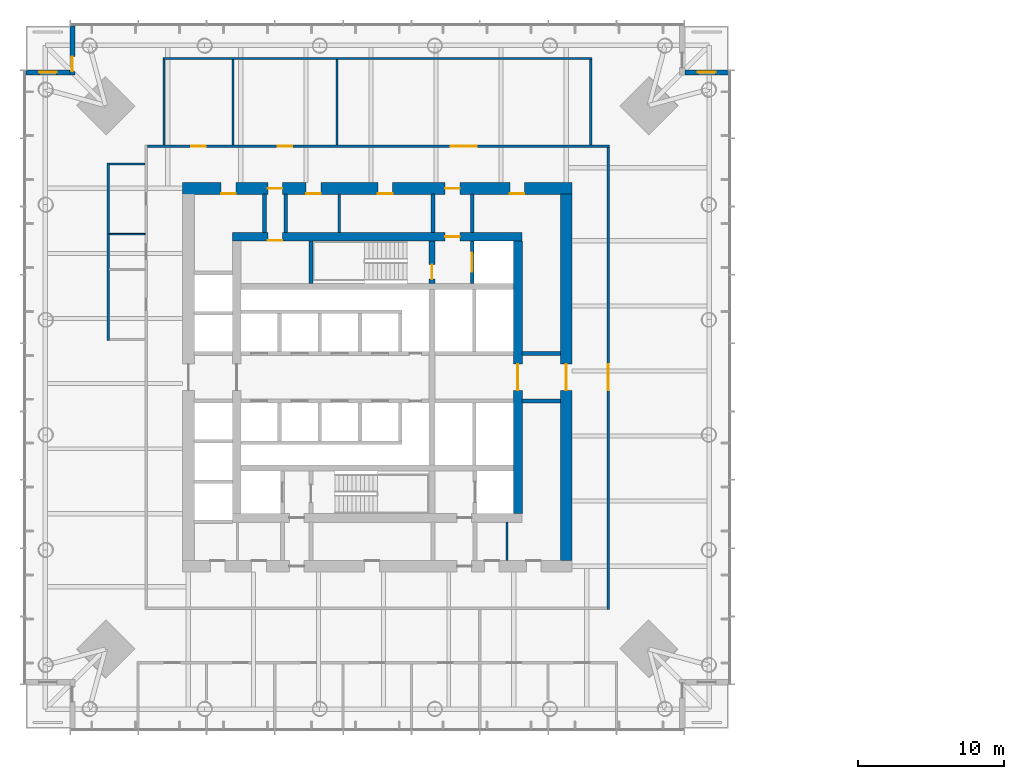
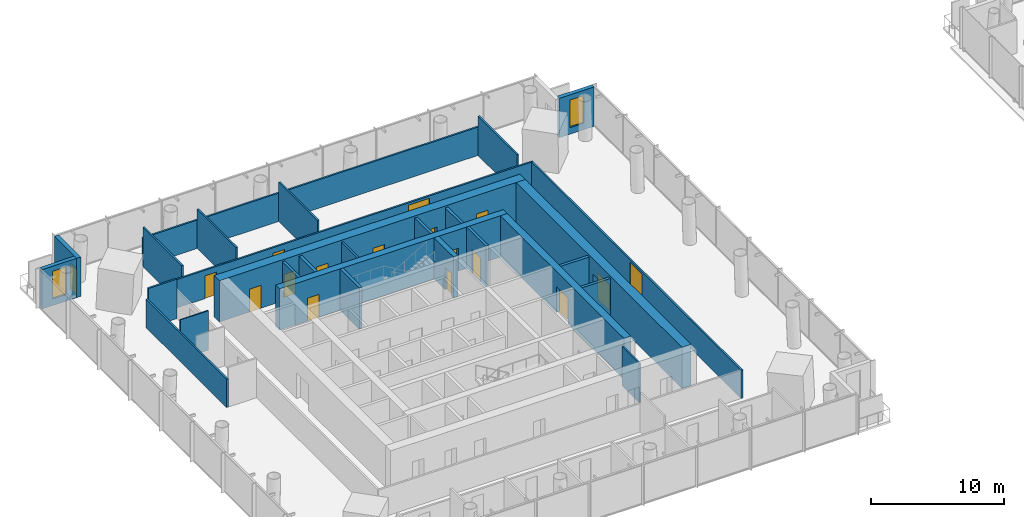
# One storey, part 11 of 22: 28 walls, 17 doors, 2 windows, 19 openings.
"""IFC4 building model written with IfcOpenShell, lengths in metres."""

import ifcopenshell
import ifcopenshell.guid

model = None  # the IFC model being written
_history = None  # IfcOwnerHistory: only IFC2X3 demands one
_inside = {}  # id of a spatial element -> (the spatial element, [elements in it])
_under = {}  # id of a project, library or spatial element -> (it, [spatial elements below it])
_declared = {}  # id of a project -> (the project, [libraries it declares])
_typed = {}  # id of a type object -> (the type object, [elements of that type])
_made_of = {}  # id of a material, layer set ... -> (it, [elements and type objects made of it])


def new_model(schema):
    """Start an empty IFC model of exactly this schema.

    Asked for "IFC4X3", IfcOpenShell would pick the latest addendum, in which some entities
    have other attributes; the version numbers below select the first issue.
    IFC2X3 requires an IfcOwnerHistory on every rooted entity: one is made here for all.
    """
    global model, _history
    if schema == "IFC4X3":
        model = ifcopenshell.file(schema_version=(4, 3, 0, 0))
    else:
        model = ifcopenshell.file(schema=schema)
    _inside.clear()
    _under.clear()
    _declared.clear()
    _typed.clear()
    _made_of.clear()
    _history = None
    if model.schema == "IFC2X3":
        org = make("IfcOrganization", Name="unknown")
        user = make(
            "IfcPersonAndOrganization",
            ThePerson=make("IfcPerson", FamilyName="unknown"),
            TheOrganization=org,
        )
        app = make(
            "IfcApplication",
            ApplicationDeveloper=org,
            Version="unknown",
            ApplicationFullName="unknown",
            ApplicationIdentifier="unknown",
        )
        _history = make(
            "IfcOwnerHistory",
            OwningUser=user,
            OwningApplication=app,
            ChangeAction="ADDED",
            CreationDate=0,
        )
    return model


def make(cls, **values):
    """One entity of the class cls with the attributes given. An attribute that is None is left unset."""
    return model.create_entity(
        cls, **{name: value for name, value in values.items() if value is not None}
    )


def rooted(cls, **values):
    """An entity with a GlobalId (a new one), such as an element, a storey or a relation."""
    return make(cls, GlobalId=ifcopenshell.guid.new(), OwnerHistory=_history, **values)


def si_unit(unit_type, name, prefix=None):
    """IfcSIUnit, for example si_unit("LENGTHUNIT", "METRE", prefix="MILLI")."""
    return make("IfcSIUnit", UnitType=unit_type, Prefix=prefix, Name=name)


def assignment(units):
    """IfcUnitAssignment: the units of a project."""
    return None if units is None else make("IfcUnitAssignment", Units=units)


def point(xyz):
    """IfcCartesianPoint."""
    return None if xyz is None else make("IfcCartesianPoint", Coordinates=xyz)


def direction(xyz):
    """IfcDirection."""
    return None if xyz is None else make("IfcDirection", DirectionRatios=xyz)


def frame(location, z_axis=None, x_axis=None):
    """IfcAxis2Placement3D, a coordinate frame: its origin and axes. An axis left out is left unset."""
    return make(
        "IfcAxis2Placement3D",
        Location=point(location),
        Axis=direction(z_axis),
        RefDirection=direction(x_axis),
    )


def frame_2d(location, x_axis=None):
    """IfcAxis2Placement2D, a coordinate frame in the plane: its origin and x axis."""
    return make(
        "IfcAxis2Placement2D", Location=point(location), RefDirection=direction(x_axis)
    )


def origin():
    """The frame at (0, 0, 0) with its axes left unset."""
    return frame((0.0, 0.0, 0.0))


def place(relative_to, where):
    """IfcLocalPlacement: puts the frame where relative to a parent placement (None: the world)."""
    return make(
        "IfcLocalPlacement", PlacementRelTo=relative_to, RelativePlacement=where
    )


def context(
    kind, dimensions, precision=None, world=None, true_north=None, identifier=None
):
    """IfcGeometricRepresentationContext, for example the 3D "Model" context."""
    return make(
        "IfcGeometricRepresentationContext",
        ContextIdentifier=identifier,
        ContextType=kind,
        CoordinateSpaceDimension=dimensions,
        Precision=precision,
        WorldCoordinateSystem=world,
        TrueNorth=true_north,
    )


def subcontext(parent, identifier, kind, view, scale=None):
    """IfcGeometricRepresentationSubContext, for example "Body" below "Model"."""
    return make(
        "IfcGeometricRepresentationSubContext",
        ContextIdentifier=identifier,
        ContextType=kind,
        ParentContext=parent,
        TargetScale=scale,
        TargetView=view,
    )


def project(units=None, contexts=None):
    """IfcProject with its units and contexts."""
    return rooted(
        "IfcProject",
        Name="project",
        RepresentationContexts=contexts,
        UnitsInContext=assignment(units),
    )


def spatial(cls, under=None, at=None, **own):
    """A site, building, storey or space (cls), placed at a placement, below another one or the project."""
    s = rooted(cls, ObjectPlacement=at, **own)
    if under is not None:
        _under.setdefault(under.id(), (under, []))[1].append(s)
    return s


def profile(cls, at=None, kind="AREA", **sizes):
    """A parametric profile (cls). Its sizes go by their IFC names, for example OverallWidth=200.0."""
    return make(cls, ProfileType=kind, Position=at, **sizes)


def rectangle(**sizes):
    """IfcRectangleProfileDef."""
    return profile("IfcRectangleProfileDef", **sizes)


def extrude(swept, where, along, depth):
    """IfcExtrudedAreaSolid: the profile swept, set in the frame where, extruded along a direction by depth."""
    return make(
        "IfcExtrudedAreaSolid",
        SweptArea=swept,
        Position=where,
        ExtrudedDirection=direction(along),
        Depth=depth,
    )


def shape(context_of_items, identifier, shape_type, items):
    """IfcShapeRepresentation: the items that make up one representation, for example the "Body"."""
    return make(
        "IfcShapeRepresentation",
        ContextOfItems=context_of_items,
        RepresentationIdentifier=identifier,
        RepresentationType=shape_type,
        Items=items,
    )


def material(Name=None, Category=None):
    """IfcMaterial."""
    return make("IfcMaterial", Name=Name, Category=Category)


def layer(
    of_material, thickness, ventilated=None, Name=None, Category=None, Priority=None
):
    """IfcMaterialLayer: one layer of a wall or slab, of a material (None: an air gap)."""
    return make(
        "IfcMaterialLayer",
        Material=of_material,
        LayerThickness=thickness,
        IsVentilated=ventilated,
        Name=Name,
        Category=Category,
        Priority=Priority,
    )


def layer_set(layers, Name=None):
    """IfcMaterialLayerSet."""
    return make("IfcMaterialLayerSet", MaterialLayers=layers, LayerSetName=Name)


def made_of(thing, what):
    """Note that an element or type object is made of a material, layer set ...; save() writes the relation."""
    if what is not None:
        _made_of.setdefault(what.id(), (what, []))[1].append(thing)
    return thing


def type_object(cls, material=None, **own):
    """A type object (cls), such as IfcWallType, which elements share."""
    return made_of(rooted(cls, **own), material)


def element(
    cls,
    number,
    at=None,
    inside=None,
    cuts=None,
    type_object=None,
    material=None,
    context=None,
    identifier="Body",
    shape_type=None,
    held_by="IfcProductDefinitionShape",
    body=None,
    shapes=None,
    **own,
):
    """One element of the class cls, such as IfcWall. Its Tag is "e" and its number.

    at: its placement. inside: the storey or other place that contains it. cuts: it is an
    opening in that element (IfcRelVoidsElement). A single representation is given by context,
    identifier, shape_type and body (its items); several are given by shapes. held_by: the class
    of the entity that holds the representations. save() writes the other relations.
    """
    e = rooted(cls, Tag="e%d" % number, ObjectPlacement=at, **own)
    if body is not None:
        shapes = [shape(context, identifier, shape_type, body)]
    if shapes is not None:
        e.Representation = make(held_by, Representations=shapes)
    if inside is not None:
        _inside.setdefault(inside.id(), (inside, []))[1].append(e)
    if cuts is not None:
        rooted(
            "IfcRelVoidsElement", RelatingBuildingElement=cuts, RelatedOpeningElement=e
        )
    if type_object is not None:
        _typed.setdefault(type_object.id(), (type_object, []))[1].append(e)
    return made_of(e, material)


def fill(opening, filler):
    """IfcRelFillsElement: the door or window that sits in an opening."""
    return rooted(
        "IfcRelFillsElement",
        RelatingOpeningElement=opening,
        RelatedBuildingElement=filler,
    )


def aggregate(whole, parts):
    """IfcRelAggregates: a whole, such as a stair, and the parts it consists of."""
    return rooted("IfcRelAggregates", RelatingObject=whole, RelatedObjects=parts)


def save(model, path):
    """Write the relations noted so far, then the file.

    IfcRelAggregates (storeys below a building ...), IfcRelContainedInSpatialStructure (elements
    in a storey), IfcRelDefinesByType, IfcRelAssociatesMaterial and IfcRelDeclares: one each for
    every whole, place, type object, material and project.
    """
    for whole, parts in _under.values():
        aggregate(whole, parts)
    for where, things in _inside.values():
        rooted(
            "IfcRelContainedInSpatialStructure",
            RelatedElements=things,
            RelatingStructure=where,
        )
    for kind, things in _typed.values():
        rooted("IfcRelDefinesByType", RelatedObjects=things, RelatingType=kind)
    for what, things in _made_of.values():
        rooted("IfcRelAssociatesMaterial", RelatedObjects=things, RelatingMaterial=what)
    for by, libraries in _declared.values():
        rooted("IfcRelDeclares", RelatingContext=by, RelatedDefinitions=libraries)
    model.write(path)


model = new_model("IFC4")

# Units and contexts
model_context = context("Model", 3, precision=1e-05, world=origin(), true_north=direction((0.0, 1.0)))
body_context = subcontext(model_context, "Body", "Model", "MODEL_VIEW")
ifc_project = project(units=[si_unit("LENGTHUNIT", "METRE"), si_unit("AREAUNIT", "SQUARE_METRE"), si_unit("VOLUMEUNIT", "CUBIC_METRE"), si_unit("PLANEANGLEUNIT", "RADIAN"), si_unit("MASSUNIT", "GRAM", prefix="KILO")], contexts=[model_context])

# Site, building, storey
site_placement = place(None, origin())
site = spatial("IfcSite", under=ifc_project, at=site_placement, CompositionType="ELEMENT")
building_placement = place(site_placement, origin())
building = spatial("IfcBuilding", under=site, at=building_placement, Name="Ostroluk Exchange", CompositionType="ELEMENT")
storey_placement = place(building_placement, frame((0.0, 0.0, 62.800048828125)))
storey = spatial("IfcBuildingStorey", under=building, at=storey_placement, Name="L15", CompositionType="ELEMENT", Elevation=62.800048828125)

# Walls
ifc_material_1 = material(Name="Concrete blockwork", Category="masonry")
ifc_layer_1 = layer(ifc_material_1, 0.10009765625)
ifc_layer_set_1 = layer_set([ifc_layer_1], Name="Blockwork WC wall 100")
wall_type_1 = type_object("IfcWallType", Name="Blockwork WC wall 100", PredefinedType="SOLIDWALL", material=ifc_layer_set_1)
wall_1_placement = place(storey_placement, frame((29.14990234375, 55.77490234375, 0.0), z_axis=(0.0, 0.0, 1.0), x_axis=(-1.0, 0.0, 0.0)))
element("IfcWall", 1, at=wall_1_placement, inside=storey, type_object=wall_type_1, Name="Blockwork WC wall", PredefinedType="SOLIDWALL", context=body_context, shape_type="SweptSolid", body=[
    extrude(rectangle(XDim=2.449951171875, YDim=0.10009765625, at=frame_2d((1.22509765625, 0.0))), origin(), (0.0, 0.0, 1.0), 3.619873046875),
])
ifc_material_2 = material(Name="Concrete blockwork", Category="masonry")
ifc_layer_2 = layer(ifc_material_2, 0.14990234375)
ifc_layer_set_2 = layer_set([ifc_layer_2], Name="Blockwork plant room wall 150")
wall_type_2 = type_object("IfcWallType", Name="Blockwork plant room wall 150", PredefinedType="SOLIDWALL", material=ifc_layer_set_2)
for number, where, z_axis, x_axis, name in (
    (2, (42.40478515625, 55.89990234375, 0.0), (0.0, 0.0, 1.0), (0.0, 1.0, 0.0), "Core room wall"),
    (3, (53.85205078125, 33.5, 0.0), (0.0, 0.0, 1.0), (0.0, 1.0, 0.0), "Core room wall"),
):
    element("IfcWall", number, at=place(storey_placement, frame(where, z_axis=z_axis, x_axis=x_axis)), inside=storey, type_object=wall_type_2, Name=name, PredefinedType="SOLIDWALL", context=body_context, shape_type="SweptSolid", body=[
        extrude(rectangle(XDim=2.60009765625, YDim=0.14990234375, at=frame_2d((1.300048828125, 0.0))), origin(), (0.0, 0.0, 1.0), 3.619873046875),
    ])
ifc_material_3 = material(Name="Concrete blockwork", Category="masonry")
ifc_layer_3 = layer(ifc_material_3, 0.25)
ifc_layer_set_3 = layer_set([ifc_layer_3], Name="Blockwork stair enclosure wall 250")
wall_type_3 = type_object("IfcWallType", Name="Blockwork stair enclosure wall 250", PredefinedType="SOLIDWALL", material=ifc_layer_set_3)
for number, where, z_axis, x_axis, name in (
    (4, (48.804931640625, 55.89990234375, 0.0), (0.0, 0.0, 1.0), (0.0, 1.0, 0.0), "Fire lobby enclosure wall"),
    (5, (51.47509765625, 55.89990234375, 0.0), (0.0, 0.0, 1.0), (0.0, 1.0, 0.0), "Fire lobby enclosure wall"),
    (6, (54.89990234375, 44.375, 0.0), (0.0, 0.0, 1.0), (1.0, 0.0, 0.0), "Lift lobby enclosure wall"),
    (7, (54.89990234375, 47.625, 0.0), (0.0, 0.0, 1.0), (1.0, 0.0, 0.0), "Lift lobby enclosure wall"),
    (8, (37.300048828125, 55.89990234375, 0.0), (0.0, 0.0, 1.0), (0.0, 1.0, 0.0), "Core corridor wall"),
    (9, (38.75, 55.89990234375, 0.0), (0.0, 0.0, 1.0), (0.0, 1.0, 0.0), "Core corridor wall"),
):
    element("IfcWall", number, at=place(storey_placement, frame(where, z_axis=z_axis, x_axis=x_axis)), inside=storey, type_object=wall_type_3, Name=name, PredefinedType="SOLIDWALL", context=body_context, shape_type="SweptSolid", body=[
        extrude(rectangle(XDim=2.60009765625, YDim=0.25, at=frame_2d((1.300048828125, 0.0))), origin(), (0.0, 0.0, 1.0), 3.619873046875),
    ])

# Wall, opening, door
ifc_material_4 = material(Name="Concrete C50/60", Category="concrete")
ifc_layer_4 = layer(ifc_material_4, 0.39990234375)
ifc_layer_set_4 = layer_set([ifc_layer_4], Name="Core cross wall 400 C50/60")
wall_type_4 = type_object("IfcWallType", Name="Core cross wall 400 C50/60", PredefinedType="SHEAR", material=ifc_layer_set_4)
wall_2_placement = place(storey_placement, frame((48.72998046875, 52.39990234375, 0.0), z_axis=(0.0, 0.0, 1.0), x_axis=(0.0, 1.0, 0.0)))
wall_2 = element("IfcWall", 10, at=wall_2_placement, inside=storey, type_object=wall_type_4, Name="T1 core wall YE3", PredefinedType="SHEAR", context=body_context, shape_type="SweptSolid", body=[
    extrude(rectangle(XDim=2.900146484375, YDim=0.39990234375, at=frame_2d((1.4501953125, 0.0))), origin(), (0.0, 0.0, 1.0), 3.800048828125),
])
opening_1_placement = place(wall_2_placement, frame((0.300048828125, 0.0, 0.0)))
opening_1 = element("IfcOpeningElement", 11, at=opening_1_placement, cuts=wall_2, Name="Opening FD60", PredefinedType="OPENING", context=body_context, shape_type="SweptSolid", body=[
    extrude(rectangle(XDim=1.0, YDim=2.10009765625, at=frame_2d((0.5, 1.050048828125))), frame((0.0, 0.2099609375, 0.0), z_axis=(0.0, -1.0, 0.0), x_axis=(1.0, 0.0, 0.0)), (0.0, 0.0, 1.0), 0.419921875),
])
ifc_material_5 = material(Name="Steel", Category="steel")
door_type_1 = type_object("IfcDoorType", Name="Fire door EI 60 1000 x 2100", OperationType="SINGLE_SWING_LEFT", PredefinedType="DOOR", material=ifc_material_5)
door_1_placement = place(opening_1_placement, origin())
door_1 = element("IfcDoor", 12, at=door_1_placement, inside=storey, type_object=door_type_1, Name="Stair T1-S2 door", OperationType="SINGLE_SWING_LEFT", OverallHeight=2.10009765625, OverallWidth=1.0, PredefinedType="DOOR", context=body_context, shape_type="SweptSolid", body=[
    extrude(rectangle(XDim=1.0, YDim=2.10009765625, at=frame_2d((0.5, 1.050048828125))), frame((0.0, 0.02490234375, 0.0), z_axis=(0.0, -1.0, 0.0), x_axis=(1.0, 0.0, 0.0)), (0.0, 0.0, 1.0), 0.050048828125),
])
fill(opening_1, door_1)

# Wall
ifc_material_6 = material(Name="Concrete C40/50", Category="concrete")
ifc_layer_5 = layer(ifc_material_6, 0.25)
ifc_layer_set_5 = layer_set([ifc_layer_5], Name="Core shaft wall 250")
wall_type_5 = type_object("IfcWallType", Name="Core shaft wall 250", PredefinedType="SHEAR", material=ifc_layer_set_5)
wall_3_placement = place(storey_placement, frame((40.47509765625, 52.39990234375, 0.0), z_axis=(0.0, 0.0, 1.0), x_axis=(0.0, 1.0, 0.0)))
element("IfcWall", 13, at=wall_3_placement, inside=storey, type_object=wall_type_5, Name="Stair shaft wall", PredefinedType="SHEAR", context=body_context, shape_type="SweptSolid", body=[
    extrude(rectangle(XDim=2.900146484375, YDim=0.25, at=frame_2d((1.4501953125, 0.0))), origin(), (0.0, 0.0, 1.0), 3.800048828125),
])

# Wall, opening, door
wall_4_placement = place(storey_placement, frame((51.47509765625, 52.39990234375, 0.0), z_axis=(0.0, 0.0, 1.0), x_axis=(0.0, 1.0, 0.0)))
wall_4 = element("IfcWall", 14, at=wall_4_placement, inside=storey, type_object=wall_type_5, Name="Firefighting lift shaft wall", PredefinedType="SHEAR", context=body_context, shape_type="SweptSolid", body=[
    extrude(rectangle(XDim=2.900146484375, YDim=0.25, at=frame_2d((1.4501953125, 0.0))), origin(), (0.0, 0.0, 1.0), 3.800048828125),
])
opening_2_placement = place(wall_4_placement, frame((0.800048828125, 0.0, 0.0)))
opening_2 = element("IfcOpeningElement", 15, at=opening_2_placement, cuts=wall_4, Name="Opening LD2", PredefinedType="OPENING", context=body_context, shape_type="SweptSolid", body=[
    extrude(rectangle(XDim=1.300048828125, YDim=2.199951171875, at=frame_2d((0.64990234375, 1.10009765625))), frame((0.0, 0.135009765625, 0.0), z_axis=(0.0, -1.0, 0.0), x_axis=(1.0, 0.0, 0.0)), (0.0, 0.0, 1.0), 0.27001953125),
])
ifc_material_7 = material(Name="Stainless steel", Category="steel")
door_type_2 = type_object("IfcDoorType", Name="Lift landing door E 60 1300 x 2200", OperationType="DOUBLE_DOOR_SLIDING", PredefinedType="DOOR", material=ifc_material_7)
door_2_placement = place(opening_2_placement, origin())
door_2 = element("IfcDoor", 16, at=door_2_placement, inside=storey, type_object=door_type_2, Name="Lift FL2 landing door", OperationType="DOUBLE_DOOR_SLIDING", OverallHeight=2.199951171875, OverallWidth=1.300048828125, PredefinedType="DOOR", context=body_context, shape_type="SweptSolid", body=[
    extrude(rectangle(XDim=1.300048828125, YDim=2.199951171875, at=frame_2d((0.64990234375, 1.10009765625))), frame((0.0, 0.02490234375, 0.0), z_axis=(0.0, -1.0, 0.0), x_axis=(1.0, 0.0, 0.0)), (0.0, 0.0, 1.0), 0.050048828125),
])
fill(opening_2, door_2)

# Wall, openings, doors
ifc_material_8 = material(Name="Concrete C50/60", Category="concrete")
ifc_layer_6 = layer(ifc_material_8, 0.60009765625)
ifc_layer_set_6 = layer_set([ifc_layer_6], Name="Core wall 600 C50/60")
wall_type_6 = type_object("IfcWallType", Name="Core wall 600 C50/60", PredefinedType="SHEAR", material=ifc_layer_set_6)
wall_5_placement = place(storey_placement, frame((35.10009765625, 55.60009765625, 0.0), z_axis=(0.0, 0.0, 1.0), x_axis=(1.0, 0.0, 0.0)))
wall_5 = element("IfcWall", 17, at=wall_5_placement, inside=storey, type_object=wall_type_6, Name="T1 core wall N", PredefinedType="SHEAR", context=body_context, shape_type="SweptSolid", body=[
    extrude(rectangle(XDim=19.7998046875, YDim=0.60009765625, at=frame_2d((9.89990234375, 0.0))), origin(), (0.0, 0.0, 1.0), 3.800048828125),
])
opening_3_placement = place(wall_5_placement, frame((14.5400390625, 0.0, 0.0)))
opening_3 = element("IfcOpeningElement", 18, at=opening_3_placement, cuts=wall_5, Name="Opening FD60", PredefinedType="OPENING", context=body_context, shape_type="SweptSolid", body=[
    extrude(rectangle(XDim=1.0, YDim=2.10009765625, at=frame_2d((0.5, 1.050048828125))), frame((0.0, 0.31005859375, 0.0), z_axis=(0.0, -1.0, 0.0), x_axis=(1.0, 0.0, 0.0)), (0.0, 0.0, 1.0), 0.6201171875),
])
opening_4_placement = place(wall_5_placement, frame((2.425048828125, 0.0, 0.0)))
opening_4 = element("IfcOpeningElement", 19, at=opening_4_placement, cuts=wall_5, Name="Opening FD60", PredefinedType="OPENING", context=body_context, shape_type="SweptSolid", body=[
    extrude(rectangle(XDim=1.0, YDim=2.10009765625, at=frame_2d((0.5, 1.050048828125))), frame((0.0, 0.31005859375, 0.0), z_axis=(0.0, -1.0, 0.0), x_axis=(1.0, 0.0, 0.0)), (0.0, 0.0, 1.0), 0.6201171875),
])
door_3_placement = place(opening_3_placement, origin())
door_3 = element("IfcDoor", 20, at=door_3_placement, inside=storey, type_object=door_type_1, Name="Firefighting lobby door", OperationType="SINGLE_SWING_RIGHT", OverallHeight=2.10009765625, OverallWidth=1.0, PredefinedType="DOOR", context=body_context, shape_type="SweptSolid", body=[
    extrude(rectangle(XDim=1.0, YDim=2.10009765625, at=frame_2d((0.5, 1.050048828125))), frame((0.0, 0.02490234375, 0.0), z_axis=(0.0, -1.0, 0.0), x_axis=(1.0, 0.0, 0.0)), (0.0, 0.0, 1.0), 0.050048828125),
])
fill(opening_3, door_3)
door_4_placement = place(opening_4_placement, origin())
door_4 = element("IfcDoor", 21, at=door_4_placement, inside=storey, type_object=door_type_1, Name="Tea point door", OperationType="SINGLE_SWING_LEFT", OverallHeight=2.10009765625, OverallWidth=1.0, PredefinedType="DOOR", context=body_context, shape_type="SweptSolid", body=[
    extrude(rectangle(XDim=1.0, YDim=2.10009765625, at=frame_2d((0.5, 1.050048828125))), frame((0.0, -0.23974609375, 0.0), z_axis=(0.0, -1.0, 0.0), x_axis=(1.0, 0.0, 0.0)), (0.0, 0.0, 1.0), 0.050048828125),
])
fill(opening_4, door_4)

# Wall, opening, door
wall_6_placement = place(storey_placement, frame((54.60009765625, 36.699951171875, 0.0), z_axis=(0.0, 0.0, 1.0), x_axis=(0.0, 1.0, 0.0)))
wall_6 = element("IfcWall", 22, at=wall_6_placement, inside=storey, type_object=wall_type_6, Name="T1 core wall E", PredefinedType="SHEAR", context=body_context, shape_type="SweptSolid", body=[
    extrude(rectangle(XDim=18.60009765625, YDim=0.60009765625, at=frame_2d((9.300048828125, 0.0))), origin(), (0.0, 0.0, 1.0), 3.800048828125),
])
opening_5_placement = place(wall_6_placement, frame((8.39990234375, 0.0, 0.0)))
opening_5 = element("IfcOpeningElement", 23, at=opening_5_placement, cuts=wall_6, Name="Opening FD30D", PredefinedType="OPENING", context=body_context, shape_type="SweptSolid", body=[
    extrude(rectangle(XDim=1.800048828125, YDim=2.39990234375, at=frame_2d((0.89990234375, 1.199951171875))), frame((0.0, 0.31005859375, 0.0), z_axis=(0.0, -1.0, 0.0), x_axis=(1.0, 0.0, 0.0)), (0.0, 0.0, 1.0), 0.6201171875),
])
ifc_material_9 = material(Name="Timber", Category="wood")
door_type_3 = type_object("IfcDoorType", Name="Lobby double door EI 30 1800 x 2400", OperationType="DOUBLE_DOOR_SINGLE_SWING", PredefinedType="DOOR", material=ifc_material_9)
door_5_placement = place(opening_5_placement, origin())
door_5 = element("IfcDoor", 24, at=door_5_placement, inside=storey, type_object=door_type_3, Name="Lift lobby doors", OperationType="DOUBLE_DOOR_SINGLE_SWING", OverallHeight=2.39990234375, OverallWidth=1.800048828125, PredefinedType="DOOR", context=body_context, shape_type="SweptSolid", body=[
    extrude(rectangle(XDim=1.800048828125, YDim=2.39990234375, at=frame_2d((0.89990234375, 1.199951171875))), frame((0.0, 0.02490234375, 0.0), z_axis=(0.0, -1.0, 0.0), x_axis=(1.0, 0.0, 0.0)), (0.0, 0.0, 1.0), 0.050048828125),
])
fill(opening_5, door_5)

# Wall, openings, doors
ifc_material_10 = material(Name="Concrete C50/60", Category="concrete")
ifc_layer_7 = layer(ifc_material_10, 0.800048828125)
ifc_layer_set_7 = layer_set([ifc_layer_7], Name="Core wall 800 C50/60")
wall_type_7 = type_object("IfcWallType", Name="Core wall 800 C50/60", PredefinedType="SHEAR", material=ifc_layer_set_7)
wall_7_placement = place(storey_placement, frame((31.699951171875, 58.89990234375, 0.0), z_axis=(0.0, 0.0, 1.0), x_axis=(1.0, 0.0, 0.0)))
wall_7 = element("IfcWall", 25, at=wall_7_placement, inside=storey, type_object=wall_type_7, Name="T1 core wall RN", PredefinedType="SHEAR", context=body_context, shape_type="SweptSolid", body=[
    extrude(rectangle(XDim=26.60009765625, YDim=0.800048828125, at=frame_2d((13.300048828125, 0.0))), origin(), (0.0, 0.0, 1.0), 3.800048828125),
])
opening_6_placement = place(wall_7_placement, frame((17.93994140625, 0.0, 0.0)))
opening_6 = element("IfcOpeningElement", 26, at=opening_6_placement, cuts=wall_7, Name="Opening FD60", PredefinedType="OPENING", context=body_context, shape_type="SweptSolid", body=[
    extrude(rectangle(XDim=1.0, YDim=2.10009765625, at=frame_2d((0.5, 1.050048828125))), frame((0.0, 0.409912109375, 0.0), z_axis=(0.0, -1.0, 0.0), x_axis=(1.0, 0.0, 0.0)), (0.0, 0.0, 1.0), 0.820068359375),
])
opening_7_placement = place(wall_7_placement, frame((5.824951171875, 0.0, 0.0)))
opening_7 = element("IfcOpeningElement", 27, at=opening_7_placement, cuts=wall_7, Name="Opening FD60", PredefinedType="OPENING", context=body_context, shape_type="SweptSolid", body=[
    extrude(rectangle(XDim=1.0, YDim=2.10009765625, at=frame_2d((0.5, 1.050048828125))), frame((0.0, 0.409912109375, 0.0), z_axis=(0.0, -1.0, 0.0), x_axis=(1.0, 0.0, 0.0)), (0.0, 0.0, 1.0), 0.820068359375),
])
opening_8_placement = place(wall_7_placement, frame((2.637451171875, 0.0, 0.0)))
opening_8 = element("IfcOpeningElement", 28, at=opening_8_placement, cuts=wall_7, Name="Opening FD60", PredefinedType="OPENING", context=body_context, shape_type="SweptSolid", body=[
    extrude(rectangle(XDim=1.0, YDim=2.10009765625, at=frame_2d((0.5, 1.050048828125))), frame((0.0, 0.409912109375, 0.0), z_axis=(0.0, -1.0, 0.0), x_axis=(1.0, 0.0, 0.0)), (0.0, 0.0, 1.0), 0.820068359375),
])
opening_9_placement = place(wall_7_placement, frame((8.43994140625, 0.0, 0.0)))
opening_9 = element("IfcOpeningElement", 29, at=opening_9_placement, cuts=wall_7, Name="Opening FD60", PredefinedType="OPENING", context=body_context, shape_type="SweptSolid", body=[
    extrude(rectangle(XDim=1.0, YDim=2.10009765625, at=frame_2d((0.5, 1.050048828125))), frame((0.0, 0.409912109375, 0.0), z_axis=(0.0, -1.0, 0.0), x_axis=(1.0, 0.0, 0.0)), (0.0, 0.0, 1.0), 0.820068359375),
])
opening_10_placement = place(wall_7_placement, frame((13.34228515625, 0.0, 0.0)))
opening_10 = element("IfcOpeningElement", 30, at=opening_10_placement, cuts=wall_7, Name="Opening FD60", PredefinedType="OPENING", context=body_context, shape_type="SweptSolid", body=[
    extrude(rectangle(XDim=1.0, YDim=2.10009765625, at=frame_2d((0.5, 1.050048828125))), frame((0.0, 0.409912109375, 0.0), z_axis=(0.0, -1.0, 0.0), x_axis=(1.0, 0.0, 0.0)), (0.0, 0.0, 1.0), 0.820068359375),
])
opening_11_placement = place(wall_7_placement, frame((22.35009765625, 0.0, 0.0)))
opening_11 = element("IfcOpeningElement", 31, at=opening_11_placement, cuts=wall_7, Name="Opening FD60", PredefinedType="OPENING", context=body_context, shape_type="SweptSolid", body=[
    extrude(rectangle(XDim=1.0, YDim=2.10009765625, at=frame_2d((0.5, 1.050048828125))), frame((0.0, 0.409912109375, 0.0), z_axis=(0.0, -1.0, 0.0), x_axis=(1.0, 0.0, 0.0)), (0.0, 0.0, 1.0), 0.820068359375),
])
door_6_placement = place(opening_6_placement, origin())
door_6 = element("IfcDoor", 32, at=door_6_placement, inside=storey, type_object=door_type_1, Name="Firefighting lobby door", OperationType="SINGLE_SWING_RIGHT", OverallHeight=2.10009765625, OverallWidth=1.0, PredefinedType="DOOR", context=body_context, shape_type="SweptSolid", body=[
    extrude(rectangle(XDim=1.0, YDim=2.10009765625, at=frame_2d((0.5, 1.050048828125))), frame((0.0, 0.02490234375, 0.0), z_axis=(0.0, -1.0, 0.0), x_axis=(1.0, 0.0, 0.0)), (0.0, 0.0, 1.0), 0.050048828125),
])
fill(opening_6, door_6)
door_7_placement = place(opening_7_placement, origin())
door_7 = element("IfcDoor", 33, at=door_7_placement, inside=storey, type_object=door_type_1, Name="Core corridor door", OperationType="SINGLE_SWING_LEFT", OverallHeight=2.10009765625, OverallWidth=1.0, PredefinedType="DOOR", context=body_context, shape_type="SweptSolid", body=[
    extrude(rectangle(XDim=1.0, YDim=2.10009765625, at=frame_2d((0.5, 1.050048828125))), frame((0.0, 0.02490234375, 0.0), z_axis=(0.0, -1.0, 0.0), x_axis=(1.0, 0.0, 0.0)), (0.0, 0.0, 1.0), 0.050048828125),
])
fill(opening_7, door_7)
door_8_placement = place(opening_8_placement, origin())
door_8 = element("IfcDoor", 34, at=door_8_placement, inside=storey, type_object=door_type_1, Name="Tenant IT room door", OperationType="SINGLE_SWING_LEFT", OverallHeight=2.10009765625, OverallWidth=1.0, PredefinedType="DOOR", context=body_context, shape_type="SweptSolid", body=[
    extrude(rectangle(XDim=1.0, YDim=2.10009765625, at=frame_2d((0.5, 1.050048828125))), frame((0.0, -0.33984375, 0.0), z_axis=(0.0, -1.0, 0.0), x_axis=(1.0, 0.0, 0.0)), (0.0, 0.0, 1.0), 0.050048828125),
])
fill(opening_8, door_8)
door_9_placement = place(opening_9_placement, origin())
door_9 = element("IfcDoor", 35, at=door_9_placement, inside=storey, type_object=door_type_1, Name="Print and post room door", OperationType="SINGLE_SWING_LEFT", OverallHeight=2.10009765625, OverallWidth=1.0, PredefinedType="DOOR", context=body_context, shape_type="SweptSolid", body=[
    extrude(rectangle(XDim=1.0, YDim=2.10009765625, at=frame_2d((0.5, 1.050048828125))), frame((0.0, -0.33984375, 0.0), z_axis=(0.0, -1.0, 0.0), x_axis=(1.0, 0.0, 0.0)), (0.0, 0.0, 1.0), 0.050048828125),
])
fill(opening_9, door_9)
door_10_placement = place(opening_10_placement, origin())
door_10 = element("IfcDoor", 36, at=door_10_placement, inside=storey, type_object=door_type_1, Name="Archive door", OperationType="SINGLE_SWING_RIGHT", OverallHeight=2.10009765625, OverallWidth=1.0, PredefinedType="DOOR", context=body_context, shape_type="SweptSolid", body=[
    extrude(rectangle(XDim=1.0, YDim=2.10009765625, at=frame_2d((0.5, 1.050048828125))), frame((0.0, -0.33984375, 0.0), z_axis=(0.0, -1.0, 0.0), x_axis=(1.0, 0.0, 0.0)), (0.0, 0.0, 1.0), 0.050048828125),
])
fill(opening_10, door_10)
door_11_placement = place(opening_11_placement, origin())
door_11 = element("IfcDoor", 37, at=door_11_placement, inside=storey, type_object=door_type_1, Name="First aid room door", OperationType="SINGLE_SWING_RIGHT", OverallHeight=2.10009765625, OverallWidth=1.0, PredefinedType="DOOR", context=body_context, shape_type="SweptSolid", body=[
    extrude(rectangle(XDim=1.0, YDim=2.10009765625, at=frame_2d((0.5, 1.050048828125))), frame((0.0, -0.33984375, 0.0), z_axis=(0.0, -1.0, 0.0), x_axis=(1.0, 0.0, 0.0)), (0.0, 0.0, 1.0), 0.050048828125),
])
fill(opening_11, door_11)

# Wall, opening, door
wall_8_placement = place(storey_placement, frame((57.89990234375, 33.5, 0.0), z_axis=(0.0, 0.0, 1.0), x_axis=(0.0, 1.0, 0.0)))
wall_8 = element("IfcWall", 38, at=wall_8_placement, inside=storey, type_object=wall_type_7, Name="T1 core wall RE", PredefinedType="SHEAR", context=body_context, shape_type="SweptSolid", body=[
    extrude(rectangle(XDim=25.0, YDim=0.800048828125, at=frame_2d((12.5, 0.0))), origin(), (0.0, 0.0, 1.0), 3.800048828125),
])
opening_12_placement = place(wall_8_placement, frame((11.60009765625, 0.0, 0.0)))
opening_12 = element("IfcOpeningElement", 39, at=opening_12_placement, cuts=wall_8, Name="Opening FD30D", PredefinedType="OPENING", context=body_context, shape_type="SweptSolid", body=[
    extrude(rectangle(XDim=1.800048828125, YDim=2.39990234375, at=frame_2d((0.89990234375, 1.199951171875))), frame((0.0, 0.409912109375, 0.0), z_axis=(0.0, -1.0, 0.0), x_axis=(1.0, 0.0, 0.0)), (0.0, 0.0, 1.0), 0.820068359375),
])
door_12_placement = place(opening_12_placement, origin())
door_12 = element("IfcDoor", 40, at=door_12_placement, inside=storey, type_object=door_type_3, Name="Lift lobby doors", OperationType="DOUBLE_DOOR_SINGLE_SWING", OverallHeight=2.39990234375, OverallWidth=1.800048828125, PredefinedType="DOOR", context=body_context, shape_type="SweptSolid", body=[
    extrude(rectangle(XDim=1.800048828125, YDim=2.39990234375, at=frame_2d((0.89990234375, 1.199951171875))), frame((0.0, 0.02490234375, 0.0), z_axis=(0.0, -1.0, 0.0), x_axis=(1.0, 0.0, 0.0)), (0.0, 0.0, 1.0), 0.050048828125),
])
fill(opening_12, door_12)

# Wall, opening, window
ifc_material_11 = material(Name="Limestone", Category="masonry")
ifc_layer_8 = layer(ifc_material_11, 0.35009765625)
ifc_layer_set_8 = layer_set([ifc_layer_8], Name="Limestone facade wall 350")
wall_type_8 = type_object("IfcWallType", Name="Limestone facade wall 350", PredefinedType="SOLIDWALL", material=ifc_layer_set_8)
wall_9_placement = place(storey_placement, frame((66.0, 66.824951171875, 0.0), z_axis=(0.0, 0.0, 1.0), x_axis=(1.0, 0.0, 0.0)))
wall_9 = element("IfcWall", 41, at=wall_9_placement, inside=storey, type_object=wall_type_8, Name="Office tower NE corner wall L15 b", PredefinedType="SOLIDWALL", context=body_context, shape_type="SweptSolid", body=[
    extrude(rectangle(XDim=3.0, YDim=0.35009765625, at=frame_2d((1.5, 0.0))), origin(), (0.0, 0.0, 1.0), 3.619873046875),
])
opening_13_placement = place(wall_9_placement, frame((0.89990234375, 0.0, 0.60009765625)))
opening_13 = element("IfcOpeningElement", 42, at=opening_13_placement, cuts=wall_9, Name="Opening WN-L1", PredefinedType="OPENING", context=body_context, shape_type="SweptSolid", body=[
    extrude(rectangle(XDim=1.199951171875, YDim=2.550048828125, at=frame_2d((0.60009765625, 1.27490234375))), frame((0.0, 0.18505859375, 0.0), z_axis=(0.0, -1.0, 0.0), x_axis=(1.0, 0.0, 0.0)), (0.0, 0.0, 1.0), 0.3701171875),
])
ifc_material_12 = material(Name="Laminated clear glass", Category="glass")
window_type = type_object("IfcWindowType", Name="Lancet window 1200 x 2550", PartitioningType="SINGLE_PANEL", PredefinedType="WINDOW", material=ifc_material_12)
window_1_placement = place(opening_13_placement, origin())
window_1 = element("IfcWindow", 43, at=window_1_placement, inside=storey, type_object=window_type, Name="Office tower NE lancet window L15", OverallHeight=2.550048828125, OverallWidth=1.199951171875, PartitioningType="SINGLE_PANEL", PredefinedType="WINDOW", context=body_context, shape_type="SweptSolid", body=[
    extrude(rectangle(XDim=1.199951171875, YDim=2.550048828125, at=frame_2d((0.60009765625, 1.27490234375))), frame((0.0, 0.030029296875, 0.0), z_axis=(0.0, -1.0, 0.0), x_axis=(1.0, 0.0, 0.0)), (0.0, 0.0, 1.0), 0.06005859375),
])
fill(opening_13, window_1)

# Wall, opening, door
wall_10_placement = place(storey_placement, frame((24.175048828125, 70.0, 0.0), z_axis=(0.0, 0.0, 1.0), x_axis=(0.0, -1.0, 0.0)))
wall_10 = element("IfcWall", 44, at=wall_10_placement, inside=storey, type_object=wall_type_8, Name="Office tower NW corner wall L15 a", PredefinedType="SOLIDWALL", context=body_context, shape_type="SweptSolid", body=[
    extrude(rectangle(XDim=3.35009765625, YDim=0.35009765625, at=frame_2d((1.675048828125, 0.0))), origin(), (0.0, 0.0, 1.0), 3.619873046875),
])
opening_14_placement = place(wall_10_placement, frame((2.10009765625, 0.0, 0.0)))
opening_14 = element("IfcOpeningElement", 45, at=opening_14_placement, cuts=wall_10, Name="Opening D-B1", PredefinedType="OPENING", context=body_context, shape_type="SweptSolid", body=[
    extrude(rectangle(XDim=1.0, YDim=2.39990234375, at=frame_2d((0.5, 1.199951171875))), frame((0.0, 0.18505859375, 0.0), z_axis=(0.0, -1.0, 0.0), x_axis=(1.0, 0.0, 0.0)), (0.0, 0.0, 1.0), 0.3701171875),
])
ifc_material_13 = material(Name="Bronze framed glazed door", Category="aluminium")
door_type_4 = type_object("IfcDoorType", Name="Balcony door 1000 x 2400", OperationType="SINGLE_SWING_LEFT", PredefinedType="DOOR", material=ifc_material_13)
door_13_placement = place(opening_14_placement, origin())
door_13 = element("IfcDoor", 46, at=door_13_placement, inside=storey, type_object=door_type_4, Name="Office tower NW balcony door L15", OperationType="SINGLE_SWING_RIGHT", OverallHeight=2.39990234375, OverallWidth=1.0, PredefinedType="DOOR", context=body_context, shape_type="SweptSolid", body=[
    extrude(rectangle(XDim=1.0, YDim=2.39990234375, at=frame_2d((0.5, 1.199951171875))), frame((0.0, 0.02490234375, 0.0), z_axis=(0.0, -1.0, 0.0), x_axis=(1.0, 0.0, 0.0)), (0.0, 0.0, 1.0), 0.050048828125),
])
fill(opening_14, door_13)

# Wall, opening, window
wall_11_placement = place(storey_placement, frame((24.0, 66.824951171875, 0.0), z_axis=(0.0, 0.0, 1.0), x_axis=(-1.0, 0.0, 0.0)))
wall_11 = element("IfcWall", 47, at=wall_11_placement, inside=storey, type_object=wall_type_8, Name="Office tower NW corner wall L15 b", PredefinedType="SOLIDWALL", context=body_context, shape_type="SweptSolid", body=[
    extrude(rectangle(XDim=3.0, YDim=0.35009765625, at=frame_2d((1.5, 0.0))), origin(), (0.0, 0.0, 1.0), 3.619873046875),
])
opening_15_placement = place(wall_11_placement, frame((0.89990234375, 0.0, 0.60009765625)))
opening_15 = element("IfcOpeningElement", 48, at=opening_15_placement, cuts=wall_11, Name="Opening WN-L1", PredefinedType="OPENING", context=body_context, shape_type="SweptSolid", body=[
    extrude(rectangle(XDim=1.199951171875, YDim=2.550048828125, at=frame_2d((0.60009765625, 1.27490234375))), frame((0.0, 0.18505859375, 0.0), z_axis=(0.0, -1.0, 0.0), x_axis=(1.0, 0.0, 0.0)), (0.0, 0.0, 1.0), 0.3701171875),
])
window_2_placement = place(opening_15_placement, origin())
window_2 = element("IfcWindow", 49, at=window_2_placement, inside=storey, type_object=window_type, Name="Office tower NW lancet window L15", OverallHeight=2.550048828125, OverallWidth=1.199951171875, PartitioningType="SINGLE_PANEL", PredefinedType="WINDOW", context=body_context, shape_type="SweptSolid", body=[
    extrude(rectangle(XDim=1.199951171875, YDim=2.550048828125, at=frame_2d((0.60009765625, 1.27490234375))), frame((0.0, 0.030029296875, 0.0), z_axis=(0.0, -1.0, 0.0), x_axis=(1.0, 0.0, 0.0)), (0.0, 0.0, 1.0), 0.06005859375),
])
fill(opening_15, window_2)

# Walls
ifc_material_14 = material(Name="Gypsum plasterboard partition", Category="gypsum")
ifc_layer_9 = layer(ifc_material_14, 0.14990234375)
ifc_layer_set_9 = layer_set([ifc_layer_9], Name="Plasterboard partition 150")
wall_type_9 = type_object("IfcWallType", Name="Plasterboard partition 150", PredefinedType="PARTITIONING", material=ifc_layer_set_9)
for number, where, z_axis, x_axis, name in (
    (50, (59.574951171875, 61.85009765625, 0.0), (0.0, 0.0, 1.0), (0.0, 1.0, 0.0), "Partition"),
    (51, (42.24267578125, 61.85009765625, 0.0), (0.0, 0.0, 1.0), (0.0, 1.0, 0.0), "Partition"),
    (52, (35.152099609375, 61.85009765625, 0.0), (0.0, 0.0, 1.0), (0.0, 1.0, 0.0), "Partition"),
    (53, (30.425048828125, 61.85009765625, 0.0), (0.0, 0.0, 1.0), (0.0, 1.0, 0.0), "Partition"),
):
    element("IfcWall", number, at=place(storey_placement, frame(where, z_axis=z_axis, x_axis=x_axis)), inside=storey, type_object=wall_type_9, Name=name, PredefinedType="PARTITIONING", context=body_context, shape_type="SweptSolid", body=[
        extrude(rectangle(XDim=5.849853515625, YDim=0.14990234375, at=frame_2d((2.9248046875, 0.0))), origin(), (0.0, 0.0, 1.0), 3.619873046875),
    ])
wall_12_placement = place(storey_placement, frame((59.64990234375, 67.77490234375, 0.0), z_axis=(0.0, 0.0, 1.0), x_axis=(-1.0, 0.0, 0.0)))
element("IfcWall", 54, at=wall_12_placement, inside=storey, type_object=wall_type_9, Name="Partition", PredefinedType="PARTITIONING", context=body_context, shape_type="SweptSolid", body=[
    extrude(rectangle(XDim=29.2998046875, YDim=0.14990234375, at=frame_2d((14.64990234375, 0.0))), origin(), (0.0, 0.0, 1.0), 2.612060546875),
])

# Wall, opening, door
wall_13_placement = place(storey_placement, frame((60.77490234375, 30.14990234375, 0.0), z_axis=(0.0, 0.0, 1.0), x_axis=(0.0, 1.0, 0.0)))
wall_13 = element("IfcWall", 55, at=wall_13_placement, inside=storey, type_object=wall_type_9, Name="Corridor wall", PredefinedType="PARTITIONING", context=body_context, shape_type="SweptSolid", body=[
    extrude(rectangle(XDim=31.550048828125, YDim=0.14990234375, at=frame_2d((15.77490234375, 0.0))), origin(), (0.0, 0.0, 1.0), 2.612060546875),
])
opening_16_placement = place(wall_13_placement, frame((14.949951171875, 0.0, 0.0)))
opening_16 = element("IfcOpeningElement", 56, at=opening_16_placement, cuts=wall_13, Name="Opening D-04", PredefinedType="OPENING", context=body_context, shape_type="SweptSolid", body=[
    extrude(rectangle(XDim=1.800048828125, YDim=2.39990234375, at=frame_2d((0.89990234375, 1.199951171875))), frame((0.0, 0.0849609375, 0.0), z_axis=(0.0, -1.0, 0.0), x_axis=(1.0, 0.0, 0.0)), (0.0, 0.0, 1.0), 0.169921875),
])
ifc_material_15 = material(Name="Timber", Category="wood")
door_type_5 = type_object("IfcDoorType", Name="Double door 1800 x 2400", OperationType="DOUBLE_DOOR_SINGLE_SWING", PredefinedType="DOOR", material=ifc_material_15)
door_14_placement = place(opening_16_placement, origin())
door_14 = element("IfcDoor", 57, at=door_14_placement, inside=storey, type_object=door_type_5, Name="Open plan office door", OperationType="DOUBLE_DOOR_SINGLE_SWING", OverallHeight=2.39990234375, OverallWidth=1.800048828125, PredefinedType="DOOR", context=body_context, shape_type="SweptSolid", body=[
    extrude(rectangle(XDim=1.800048828125, YDim=2.39990234375, at=frame_2d((0.89990234375, 1.199951171875))), frame((0.0, 0.02490234375, 0.0), z_axis=(0.0, -1.0, 0.0), x_axis=(1.0, 0.0, 0.0)), (0.0, 0.0, 1.0), 0.050048828125),
])
fill(opening_16, door_14)

# Wall, openings, doors
wall_14_placement = place(storey_placement, frame((60.85009765625, 61.77490234375, 0.0), z_axis=(0.0, 0.0, 1.0), x_axis=(-1.0, 0.0, 0.0)))
wall_14 = element("IfcWall", 58, at=wall_14_placement, inside=storey, type_object=wall_type_9, Name="Corridor wall", PredefinedType="PARTITIONING", context=body_context, shape_type="SweptSolid", body=[
    extrude(rectangle(XDim=31.550048828125, YDim=0.14990234375, at=frame_2d((15.77490234375, 0.0))), origin(), (0.0, 0.0, 1.0), 2.612060546875),
])
opening_17_placement = place(wall_14_placement, frame((9.041259765625, 0.0, 0.0)))
opening_17 = element("IfcOpeningElement", 59, at=opening_17_placement, cuts=wall_14, Name="Opening D-04", PredefinedType="OPENING", context=body_context, shape_type="SweptSolid", body=[
    extrude(rectangle(XDim=1.800048828125, YDim=2.39990234375, at=frame_2d((0.89990234375, 1.199951171875))), frame((0.0, 0.0849609375, 0.0), z_axis=(0.0, -1.0, 0.0), x_axis=(1.0, 0.0, 0.0)), (0.0, 0.0, 1.0), 0.169921875),
])
opening_18_placement = place(wall_14_placement, frame((21.652587890625, 0.0, 0.0)))
opening_18 = element("IfcOpeningElement", 60, at=opening_18_placement, cuts=wall_14, Name="Opening D-03", PredefinedType="OPENING", context=body_context, shape_type="SweptSolid", body=[
    extrude(rectangle(XDim=1.0, YDim=2.10009765625, at=frame_2d((0.5, 1.050048828125))), frame((0.0, 0.0849609375, 0.0), z_axis=(0.0, -1.0, 0.0), x_axis=(1.0, 0.0, 0.0)), (0.0, 0.0, 1.0), 0.169921875),
])
opening_19_placement = place(wall_14_placement, frame((27.5615234375, 0.0, 0.0)))
opening_19 = element("IfcOpeningElement", 61, at=opening_19_placement, cuts=wall_14, Name="Opening D-03", PredefinedType="OPENING", context=body_context, shape_type="SweptSolid", body=[
    extrude(rectangle(XDim=1.0, YDim=2.10009765625, at=frame_2d((0.5, 1.050048828125))), frame((0.0, 0.0849609375, 0.0), z_axis=(0.0, -1.0, 0.0), x_axis=(1.0, 0.0, 0.0)), (0.0, 0.0, 1.0), 0.169921875),
])
door_15_placement = place(opening_17_placement, origin())
door_15 = element("IfcDoor", 62, at=door_15_placement, inside=storey, type_object=door_type_5, Name="Training room door", OperationType="DOUBLE_DOOR_SINGLE_SWING", OverallHeight=2.39990234375, OverallWidth=1.800048828125, PredefinedType="DOOR", context=body_context, shape_type="SweptSolid", body=[
    extrude(rectangle(XDim=1.800048828125, YDim=2.39990234375, at=frame_2d((0.89990234375, 1.199951171875))), frame((0.0, 0.02490234375, 0.0), z_axis=(0.0, -1.0, 0.0), x_axis=(1.0, 0.0, 0.0)), (0.0, 0.0, 1.0), 0.050048828125),
])
fill(opening_17, door_15)
ifc_material_16 = material(Name="Timber", Category="wood")
door_type_6 = type_object("IfcDoorType", Name="Internal door 1000 x 2100", OperationType="SINGLE_SWING_LEFT", PredefinedType="DOOR", material=ifc_material_16)
door_16_placement = place(opening_18_placement, origin())
door_16 = element("IfcDoor", 63, at=door_16_placement, inside=storey, type_object=door_type_6, Name="Pantry door", OperationType="SINGLE_SWING_RIGHT", OverallHeight=2.10009765625, OverallWidth=1.0, PredefinedType="DOOR", context=body_context, shape_type="SweptSolid", body=[
    extrude(rectangle(XDim=1.0, YDim=2.10009765625, at=frame_2d((0.5, 1.050048828125))), frame((0.0, 0.02490234375, 0.0), z_axis=(0.0, -1.0, 0.0), x_axis=(1.0, 0.0, 0.0)), (0.0, 0.0, 1.0), 0.050048828125),
])
fill(opening_18, door_16)
door_17_placement = place(opening_19_placement, origin())
door_17 = element("IfcDoor", 64, at=door_17_placement, inside=storey, type_object=door_type_6, Name="Print and store room door", OperationType="SINGLE_SWING_RIGHT", OverallHeight=2.10009765625, OverallWidth=1.0, PredefinedType="DOOR", context=body_context, shape_type="SweptSolid", body=[
    extrude(rectangle(XDim=1.0, YDim=2.10009765625, at=frame_2d((0.5, 1.050048828125))), frame((0.0, 0.02490234375, 0.0), z_axis=(0.0, -1.0, 0.0), x_axis=(1.0, 0.0, 0.0)), (0.0, 0.0, 1.0), 0.050048828125),
])
fill(opening_19, door_17)

# Walls
ifc_material_17 = material(Name="Gypsum plasterboard partition, moisture resistant", Category="gypsum")
ifc_layer_10 = layer(ifc_material_17, 0.14990234375)
ifc_layer_set_10 = layer_set([ifc_layer_10], Name="Plasterboard toilet partition 150")
wall_type_10 = type_object("IfcWallType", Name="Plasterboard toilet partition 150", PredefinedType="PARTITIONING", material=ifc_layer_set_10)
wall_15_placement = place(storey_placement, frame((26.625, 60.64990234375, 0.0), z_axis=(0.0, 0.0, 1.0), x_axis=(0.0, -1.0, 0.0)))
element("IfcWall", 65, at=wall_15_placement, inside=storey, type_object=wall_type_10, Name="Toilet partition", PredefinedType="PARTITIONING", context=body_context, shape_type="SweptSolid", body=[
    extrude(rectangle(XDim=12.14990234375, YDim=0.14990234375, at=frame_2d((6.074951171875, 0.0))), origin(), (0.0, 0.0, 1.0), 2.612060546875),
])
wall_16_placement = place(storey_placement, frame((29.14990234375, 60.574951171875, 0.0), z_axis=(0.0, 0.0, 1.0), x_axis=(-1.0, 0.0, 0.0)))
element("IfcWall", 66, at=wall_16_placement, inside=storey, type_object=wall_type_10, Name="Toilet partition", PredefinedType="PARTITIONING", context=body_context, shape_type="SweptSolid", body=[
    extrude(rectangle(XDim=2.449951171875, YDim=0.14990234375, at=frame_2d((1.22509765625, 0.0))), origin(), (0.0, 0.0, 1.0), 3.619873046875),
])

save(model, "model.ifc")
